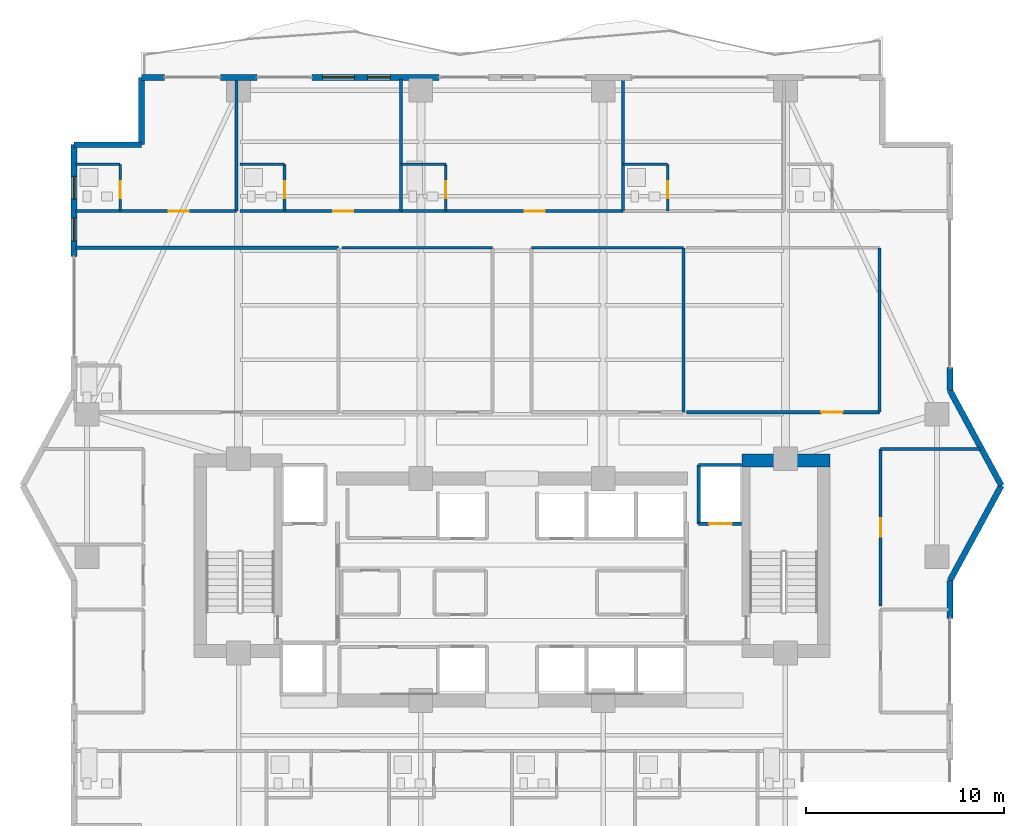
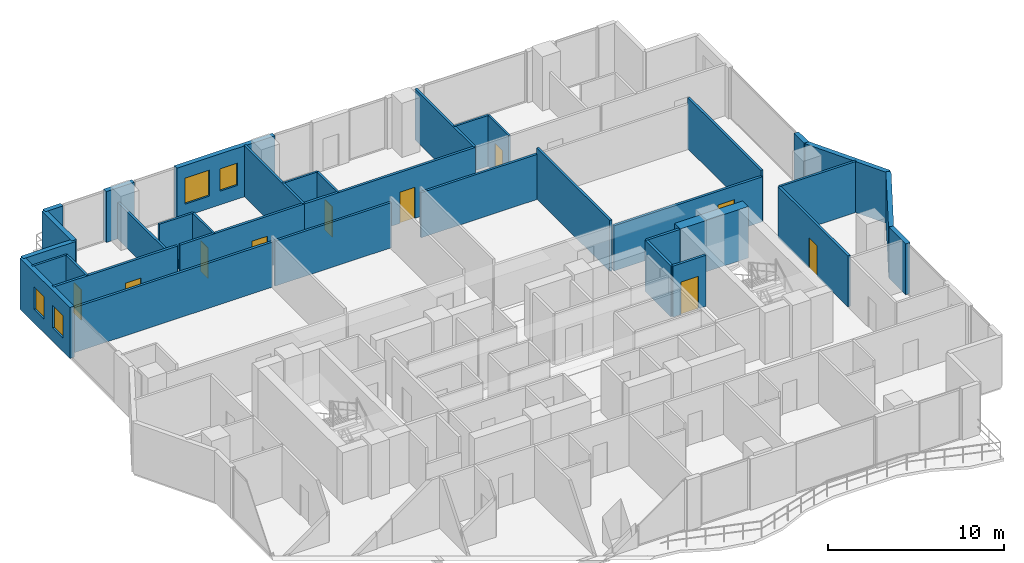
# One storey, part 27 of 32: 36 walls, 10 doors, 4 windows, 14 openings.
"""IFC4 building model written with IfcOpenShell, lengths in metres."""

from ifc_helpers import new_model, si_unit, direction, frame, frame_2d, origin, place, context, subcontext, project, spatial, rectangle, extrude, material, layer, layer_set, type_object, element, fill, save


model = new_model("IFC4")

# Units and contexts
model_context = context("Model", 3, precision=1e-05, world=origin(), true_north=direction((0.0, 1.0)))
body_context = subcontext(model_context, "Body", "Model", "MODEL_VIEW")
ifc_project = project(units=[si_unit("LENGTHUNIT", "METRE"), si_unit("AREAUNIT", "SQUARE_METRE"), si_unit("VOLUMEUNIT", "CUBIC_METRE"), si_unit("PLANEANGLEUNIT", "RADIAN"), si_unit("MASSUNIT", "GRAM", prefix="KILO")], contexts=[model_context])

# Site, building, storey
site_placement = place(None, origin())
site = spatial("IfcSite", under=ifc_project, at=site_placement, CompositionType="ELEMENT")
building_placement = place(site_placement, origin())
building = spatial("IfcBuilding", under=site, at=building_placement, Name="Zuhayl Quay Hotel", CompositionType="ELEMENT")
storey_placement = place(building_placement, frame((0.0, 0.0, 196.14990234375)))
storey = spatial("IfcBuildingStorey", under=building, at=storey_placement, Name="L49", CompositionType="ELEMENT", Elevation=196.14990234375)

# Wall
ifc_material_1 = material(Name="Concrete C50/60", Category="concrete")
ifc_layer_1 = layer(ifc_material_1, 0.64990234375, Name="Concrete C50/60", Category="concrete")
ifc_layer_set_1 = layer_set([ifc_layer_1], Name="Concrete C50/60")
wall_type_1 = type_object("IfcWallType", Name="WL_CORE_650", PredefinedType="SHEAR", material=ifc_layer_set_1)
wall_1_placement = place(storey_placement, frame((11.60009765625, 14.2548828125, 0.0), z_axis=(0.0, 0.0, 1.0), x_axis=(1.0, 0.0, 0.0)))
element("IfcWall", 1, at=wall_1_placement, inside=storey, type_object=wall_type_1, Name="L49 Core Shear Wall CW_NE", PredefinedType="SHEAR", context=body_context, shape_type="SweptSolid", body=[
    extrude(rectangle(XDim=4.4599609375, YDim=0.64990234375, at=frame_2d((2.22998046875, 0.0))), origin(), (0.0, 0.0, 1.0), 3.56005859375),
])

# Wall, openings, windows
ifc_material_2 = material(Name="Precast concrete C45/55", Category="concrete")
ifc_layer_2 = layer(ifc_material_2, 0.300048828125, Name="Precast concrete C45/55", Category="concrete")
ifc_layer_set_2 = layer_set([ifc_layer_2], Name="Precast concrete C45/55")
wall_type_2 = type_object("IfcWallType", Name="WL_EXT_300", PredefinedType="STANDARD", material=ifc_layer_set_2)
wall_2_placement = place(storey_placement, frame((-22.10009765625, 24.550048828125, 0.0), z_axis=(0.0, 0.0, 1.0), x_axis=(0.0, 1.0, 0.0)))
wall_2 = element("IfcWall", 2, at=wall_2_placement, inside=storey, type_object=wall_type_2, Name="L49 Exterior Precast Wall ENV_L49_E05_EW2", PredefinedType="STANDARD", context=body_context, shape_type="SweptSolid", body=[
    extrude(rectangle(XDim=5.64990234375, YDim=0.300048828125, at=frame_2d((2.824951171875, 0.0))), origin(), (0.0, 0.0, 1.0), 3.530029296875),
])
opening_1_placement = place(wall_2_placement, frame((0.800048828125, 0.0, 0.949951171875)))
opening_1 = element("IfcOpeningElement", 3, at=opening_1_placement, cuts=wall_2, Name="Opening W01N", PredefinedType="OPENING", context=body_context, shape_type="SweptSolid", body=[
    extrude(rectangle(XDim=1.14990234375, YDim=1.550048828125, at=frame_2d((0.574951171875, 0.77490234375))), frame((0.0, 0.159912109375, 0.0), z_axis=(0.0, -1.0, 0.0), x_axis=(1.0, 0.0, 0.0)), (0.0, 0.0, 1.0), 0.320068359375),
])
opening_2_placement = place(wall_2_placement, frame((2.905029296875, 0.0, 0.949951171875)))
opening_2 = element("IfcOpeningElement", 4, at=opening_2_placement, cuts=wall_2, Name="Opening W01N", PredefinedType="OPENING", context=body_context, shape_type="SweptSolid", body=[
    extrude(rectangle(XDim=1.14990234375, YDim=1.550048828125, at=frame_2d((0.574951171875, 0.77490234375))), frame((0.0, 0.159912109375, 0.0), z_axis=(0.0, -1.0, 0.0), x_axis=(1.0, 0.0, 0.0)), (0.0, 0.0, 1.0), 0.320068359375),
])
ifc_material_3 = material(Name="Dark Ceramic-Fritted Solar Glass", Category="glass")
window_type_1 = type_object("IfcWindowType", Name="WN_NOTCH_1350", PartitioningType="SINGLE_PANEL", PredefinedType="WINDOW", material=ifc_material_3)
window_1_placement = place(opening_1_placement, origin())
window_1 = element("IfcWindow", 5, at=window_1_placement, inside=storey, type_object=window_type_1, Name="L49 Operable Facade Window 2-1", OverallHeight=1.550048828125, OverallWidth=1.14990234375, PartitioningType="SINGLE_PANEL", PredefinedType="WINDOW", context=body_context, shape_type="SweptSolid", body=[
    extrude(rectangle(XDim=1.14990234375, YDim=1.550048828125, at=frame_2d((0.574951171875, 0.77490234375))), frame((0.0, 0.030029296875, 0.0), z_axis=(0.0, -1.0, 0.0), x_axis=(1.0, 0.0, 0.0)), (0.0, 0.0, 1.0), 0.06005859375),
])
fill(opening_1, window_1)
window_2_placement = place(opening_2_placement, origin())
window_2 = element("IfcWindow", 6, at=window_2_placement, inside=storey, type_object=window_type_1, Name="L49 Operable Facade Window 2-2", OverallHeight=1.550048828125, OverallWidth=1.14990234375, PartitioningType="SINGLE_PANEL", PredefinedType="WINDOW", context=body_context, shape_type="SweptSolid", body=[
    extrude(rectangle(XDim=1.14990234375, YDim=1.550048828125, at=frame_2d((0.574951171875, 0.77490234375))), frame((0.0, 0.030029296875, 0.0), z_axis=(0.0, -1.0, 0.0), x_axis=(1.0, 0.0, 0.0)), (0.0, 0.0, 1.0), 0.06005859375),
])
fill(opening_2, window_2)

# Walls
for number, where, z_axis, x_axis, name in (
    (7, (-22.10009765625, 30.199951171875, 0.0), (0.0, 0.0, 1.0), (1.0, 0.0, 0.0), "L49 Exterior Precast Wall ENV_L49_EW06"),
    (8, (-18.699951171875, 30.199951171875, 0.0), (0.0, 0.0, 1.0), (0.0, 1.0, 0.0), "L49 Exterior Precast Wall ENV_L49_EW07"),
):
    element("IfcWall", number, at=place(storey_placement, frame(where, z_axis=z_axis, x_axis=x_axis)), inside=storey, type_object=wall_type_2, Name=name, PredefinedType="STANDARD", context=body_context, shape_type="SweptSolid", body=[
        extrude(rectangle(XDim=3.400146484375, YDim=0.300048828125, at=frame_2d((1.7001953125, 0.0))), origin(), (0.0, 0.0, 1.0), 3.530029296875),
    ])
wall_3_placement = place(storey_placement, frame((-18.699951171875, 33.60009765625, 0.0), z_axis=(0.0, 0.0, 1.0), x_axis=(1.0, 0.0, 0.0)))
element("IfcWall", 9, at=wall_3_placement, inside=storey, type_object=wall_type_2, Name="L49 Exterior Precast Wall ENV_L49_N_EW1", PredefinedType="STANDARD", context=body_context, shape_type="SweptSolid", body=[
    extrude(rectangle(XDim=1.14990234375, YDim=0.300048828125, at=frame_2d((0.574951171875, 0.0))), origin(), (0.0, 0.0, 1.0), 3.530029296875),
])
wall_4_placement = place(storey_placement, frame((-14.719970703125, 33.60009765625, 0.0), z_axis=(0.0, 0.0, 1.0), x_axis=(1.0, 0.0, 0.0)))
element("IfcWall", 10, at=wall_4_placement, inside=storey, type_object=wall_type_2, Name="L49 Exterior Precast Wall ENV_L49_N_EW2", PredefinedType="STANDARD", context=body_context, shape_type="SweptSolid", body=[
    extrude(rectangle(XDim=1.840087890625, YDim=0.300048828125, at=frame_2d((0.919921875, 0.0))), origin(), (0.0, 0.0, 1.0), 3.530029296875),
])

# Wall, openings, windows
wall_5_placement = place(storey_placement, frame((-10.10400390625, 33.60009765625, 0.0), z_axis=(0.0, 0.0, 1.0), x_axis=(1.0, 0.0, 0.0)))
wall_5 = element("IfcWall", 11, at=wall_5_placement, inside=storey, type_object=wall_type_2, Name="L49 Exterior Precast Wall ENV_L49_N_EW3", PredefinedType="STANDARD", context=body_context, shape_type="SweptSolid", body=[
    extrude(rectangle(XDim=6.424072265625, YDim=0.300048828125, at=frame_2d((3.2119140625, 0.0))), origin(), (0.0, 0.0, 1.0), 3.530029296875),
])
opening_3_placement = place(wall_5_placement, frame((0.550048828125, 0.0, 0.85009765625)))
opening_3 = element("IfcOpeningElement", 12, at=opening_3_placement, cuts=wall_5, Name="Opening W01", PredefinedType="OPENING", context=body_context, shape_type="SweptSolid", body=[
    extrude(rectangle(XDim=1.60009765625, YDim=1.800048828125, at=frame_2d((0.800048828125, 0.89990234375))), frame((0.0, 0.159912109375, 0.0), z_axis=(0.0, -1.0, 0.0), x_axis=(1.0, 0.0, 0.0)), (0.0, 0.0, 1.0), 0.320068359375),
])
opening_4_placement = place(wall_5_placement, frame((2.81689453125, 0.0, 0.949951171875)))
opening_4 = element("IfcOpeningElement", 13, at=opening_4_placement, cuts=wall_5, Name="Opening W01N", PredefinedType="OPENING", context=body_context, shape_type="SweptSolid", body=[
    extrude(rectangle(XDim=1.14990234375, YDim=1.550048828125, at=frame_2d((0.574951171875, 0.77490234375))), frame((0.0, 0.159912109375, 0.0), z_axis=(0.0, -1.0, 0.0), x_axis=(1.0, 0.0, 0.0)), (0.0, 0.0, 1.0), 0.320068359375),
])
window_3_placement = place(opening_4_placement, origin())
window_3 = element("IfcWindow", 14, at=window_3_placement, inside=storey, type_object=window_type_1, Name="L49 Operable Facade Window 3-1", OverallHeight=1.550048828125, OverallWidth=1.14990234375, PartitioningType="SINGLE_PANEL", PredefinedType="WINDOW", context=body_context, shape_type="SweptSolid", body=[
    extrude(rectangle(XDim=1.14990234375, YDim=1.550048828125, at=frame_2d((0.574951171875, 0.77490234375))), frame((0.0, 0.030029296875, 0.0), z_axis=(0.0, -1.0, 0.0), x_axis=(1.0, 0.0, 0.0)), (0.0, 0.0, 1.0), 0.06005859375),
])
fill(opening_4, window_3)
window_type_2 = type_object("IfcWindowType", Name="WN_OPERABLE_1600", PartitioningType="DOUBLE_PANEL_VERTICAL", PredefinedType="WINDOW", material=ifc_material_3)
window_4_placement = place(opening_3_placement, origin())
window_4 = element("IfcWindow", 15, at=window_4_placement, inside=storey, type_object=window_type_2, Name="L49 North Operable Casement Window", OverallHeight=1.800048828125, OverallWidth=1.60009765625, PartitioningType="SINGLE_PANEL", PredefinedType="WINDOW", context=body_context, shape_type="SweptSolid", body=[
    extrude(rectangle(XDim=1.60009765625, YDim=1.800048828125, at=frame_2d((0.800048828125, 0.89990234375))), frame((0.0, 0.030029296875, 0.0), z_axis=(0.0, -1.0, 0.0), x_axis=(1.0, 0.0, 0.0)), (0.0, 0.0, 1.0), 0.06005859375),
])
fill(opening_3, window_4)

# Walls
wall_6_placement = place(storey_placement, frame((22.10009765625, 18.949951171875, 0.0), z_axis=(0.0, 0.0, 1.0), x_axis=(0.0, -1.0, 0.0)))
element("IfcWall", 16, at=wall_6_placement, inside=storey, type_object=wall_type_2, Name="L49 Exterior Precast Wall ENV_L49_E11_EW2", PredefinedType="STANDARD", context=body_context, shape_type="SweptSolid", body=[
    extrude(rectangle(XDim=1.14990234375, YDim=0.300048828125, at=frame_2d((0.574951171875, 0.0))), origin(), (0.0, 0.0, 1.0), 3.530029296875),
])
for number, where, z_axis, x_axis, name in (
    (17, (22.10009765625, 17.800048828125, 0.0), (0.0, 0.0, 1.0), (0.476258655584, -0.879305233114, 0.0), "L49 Exterior Precast Wall ENV_L49_EW12"),
    (18, (24.699951171875, 13.0, 0.0), (0.0, 0.0, 1.0), (-0.476258655584, -0.879305233114, 0.0), "L49 Exterior Precast Wall ENV_L49_EW13"),
):
    element("IfcWall", number, at=place(storey_placement, frame(where, z_axis=z_axis, x_axis=x_axis)), inside=storey, type_object=wall_type_2, Name=name, PredefinedType="STANDARD", context=body_context, shape_type="SweptSolid", body=[
        extrude(rectangle(XDim=5.458984375, YDim=0.300048828125, at=frame_2d((2.7294921875, 0.0))), origin(), (0.0, 0.0, 1.0), 3.530029296875),
    ])
wall_7_placement = place(storey_placement, frame((22.10009765625, 8.199951171875, 0.0), z_axis=(0.0, 0.0, 1.0), x_axis=(0.0, -1.0, 0.0)))
element("IfcWall", 19, at=wall_7_placement, inside=storey, type_object=wall_type_2, Name="L49 Exterior Precast Wall ENV_L49_E14_EW1", PredefinedType="STANDARD", context=body_context, shape_type="SweptSolid", body=[
    extrude(rectangle(XDim=1.89990234375, YDim=0.300048828125, at=frame_2d((0.949951171875, 0.0))), origin(), (0.0, 0.0, 1.0), 3.530029296875),
])
ifc_material_4 = material(Name="Acoustic Gypsum Partition STC-58")
ifc_layer_3 = layer(ifc_material_4, 0.14990234375, Name="Acoustic Gypsum Partition STC-58")
ifc_layer_set_3 = layer_set([ifc_layer_3], Name="Acoustic Gypsum Partition STC-58")
wall_type_3 = type_object("IfcWallType", Name="WL_PART_150", PredefinedType="PARTITIONING", material=ifc_layer_set_3)
wall_8_placement = place(storey_placement, frame((-13.89990234375, 26.85009765625, 0.0), z_axis=(0.0, 0.0, 1.0), x_axis=(0.0, 1.0, 0.0)))
element("IfcWall", 20, at=wall_8_placement, inside=storey, type_object=wall_type_3, Name="L49 Partition IW_L49_NU01A_E", PredefinedType="PARTITIONING", context=body_context, shape_type="SweptSolid", body=[
    extrude(rectangle(XDim=6.669921875, YDim=0.14990234375, at=frame_2d((3.3349609375, 0.0))), origin(), (0.0, 0.0, 1.0), 2.51904296875),
])
for number, where, z_axis, x_axis, name in (
    (21, (-5.60009765625, 26.85009765625, 0.0), (0.0, 0.0, 1.0), (0.0, 1.0, 0.0), "L49 Partition IW_L49_NU01B_E"),
    (22, (5.60009765625, 26.85009765625, 0.0), (0.0, 0.0, 1.0), (0.0, 1.0, 0.0), "L49 Partition IW_L49_NU02_E"),
):
    element("IfcWall", number, at=place(storey_placement, frame(where, z_axis=z_axis, x_axis=x_axis)), inside=storey, type_object=wall_type_3, Name=name, PredefinedType="PARTITIONING", context=body_context, shape_type="SweptSolid", body=[
        extrude(rectangle(XDim=6.669921875, YDim=0.14990234375, at=frame_2d((3.3349609375, 0.0))), origin(), (0.0, 0.0, 1.0), 3.530029296875),
    ])
wall_9_placement = place(storey_placement, frame((-8.590087890625, 25.0, 0.0), z_axis=(0.0, 0.0, 1.0), x_axis=(1.0, 0.0, 0.0)))
element("IfcWall", 23, at=wall_9_placement, inside=storey, type_object=wall_type_3, Name="L49 Partition IW_L49_Z3_SAL_M2_N", PredefinedType="PARTITIONING", context=body_context, shape_type="SweptSolid", body=[
    extrude(rectangle(XDim=7.610107421875, YDim=0.14990234375, at=frame_2d((3.80517578125, 0.0))), origin(), (0.0, 0.0, 1.0), 3.1240234375),
])
wall_10_placement = place(storey_placement, frame((0.97998046875, 25.0, 0.0), z_axis=(0.0, 0.0, 1.0), x_axis=(1.0, 0.0, 0.0)))
element("IfcWall", 24, at=wall_10_placement, inside=storey, type_object=wall_type_3, Name="L49 Partition IW_L49_Z3_SAL_E1_N", PredefinedType="PARTITIONING", context=body_context, shape_type="SweptSolid", body=[
    extrude(rectangle(XDim=7.669921875, YDim=0.14990234375, at=frame_2d((3.8349609375, 0.0))), origin(), (0.0, 0.0, 1.0), 3.1240234375),
])
for number, where, z_axis, x_axis, name in (
    (25, (8.64990234375, 16.699951171875, 0.0), (0.0, 0.0, 1.0), (0.0, 1.0, 0.0), "L49 Partition IW_L49_Z3_SAL_E1_E"),
    (26, (18.550048828125, 16.699951171875, 0.0), (0.0, 0.0, 1.0), (0.0, 1.0, 0.0), "L49 Partition IW_L49_Z3_SAL_E2_E"),
):
    element("IfcWall", number, at=place(storey_placement, frame(where, z_axis=z_axis, x_axis=x_axis)), inside=storey, type_object=wall_type_3, Name=name, PredefinedType="PARTITIONING", context=body_context, shape_type="SweptSolid", body=[
        extrude(rectangle(XDim=8.300048828125, YDim=0.14990234375, at=frame_2d((4.14990234375, 0.0))), origin(), (0.0, 0.0, 1.0), 3.530029296875),
    ])
wall_11_placement = place(storey_placement, frame((18.60009765625, 14.85009765625, 0.0), z_axis=(0.0, 0.0, 1.0), x_axis=(1.0, 0.0, 0.0)))
element("IfcWall", 27, at=wall_11_placement, inside=storey, type_object=wall_type_3, Name="L49 Partition IW_L49_EFLK_2_N", PredefinedType="PARTITIONING", context=body_context, shape_type="SweptSolid", body=[
    extrude(rectangle(XDim=5.037841796875, YDim=0.14990234375, at=frame_2d((2.51904296875, 0.0))), origin(), (0.0, 0.0, 1.0), 3.530029296875),
])

# Wall, opening, door
ifc_layer_4 = layer(ifc_material_4, 0.159912109375, Name="Acoustic Gypsum Partition STC-58")
ifc_layer_set_4 = layer_set([ifc_layer_4], Name="Acoustic Gypsum Partition STC-58")
wall_type_4 = type_object("IfcWallType", Name="WL_PART_CORR_160", PredefinedType="PARTITIONING", material=ifc_layer_set_4)
wall_12_placement = place(storey_placement, frame((-22.0400390625, 26.85009765625, 0.0), z_axis=(0.0, 0.0, 1.0), x_axis=(1.0, 0.0, 0.0)))
wall_12 = element("IfcWall", 28, at=wall_12_placement, inside=storey, type_object=wall_type_4, Name="L49 Partition IW_L49_NU01A_COR", PredefinedType="PARTITIONING", context=body_context, shape_type="SweptSolid", body=[
    extrude(rectangle(XDim=8.14013671875, YDim=0.159912109375, at=frame_2d((4.070068359375, 0.0))), origin(), (0.0, 0.0, 1.0), 3.530029296875),
])
opening_5_placement = place(wall_12_placement, frame((4.719970703125, 0.0, 0.0)))
opening_5 = element("IfcOpeningElement", 29, at=opening_5_placement, cuts=wall_12, Name="Opening D03L", PredefinedType="OPENING", context=body_context, shape_type="SweptSolid", body=[
    extrude(rectangle(XDim=1.0, YDim=2.14990234375, at=frame_2d((0.5, 1.074951171875))), frame((0.0, 0.08984375, 0.0), z_axis=(0.0, -1.0, 0.0), x_axis=(1.0, 0.0, 0.0)), (0.0, 0.0, 1.0), 0.179931640625),
])
ifc_material_5 = material(Name="Solid Walnut Acoustic Fire Door")
door_type_1 = type_object("IfcDoorType", Name="DR_SUITE_1000", OperationType="NOTDEFINED", PredefinedType="DOOR", material=ifc_material_5)
door_1_placement = place(opening_5_placement, origin())
door_1 = element("IfcDoor", 30, at=door_1_placement, inside=storey, type_object=door_type_1, Name="L49 Panoramic Gulf Suite L49-01A Entrance Door", OperationType="SINGLE_SWING_LEFT", OverallHeight=2.14990234375, OverallWidth=1.0, PredefinedType="DOOR", context=body_context, shape_type="SweptSolid", body=[
    extrude(rectangle(XDim=1.0, YDim=2.14990234375, at=frame_2d((0.5, 1.074951171875))), frame((0.0, 0.02490234375, 0.0), z_axis=(0.0, -1.0, 0.0), x_axis=(1.0, 0.0, 0.0)), (0.0, 0.0, 1.0), 0.050048828125),
])
fill(opening_5, door_1)

wall_13_placement = place(storey_placement, frame((-13.739990234375, 26.85009765625, 0.0), z_axis=(0.0, 0.0, 1.0), x_axis=(1.0, 0.0, 0.0)))
wall_13 = element("IfcWall", 31, at=wall_13_placement, inside=storey, type_object=wall_type_4, Name="L49 Partition IW_L49_NU01B_COR", PredefinedType="PARTITIONING", context=body_context, shape_type="SweptSolid", body=[
    extrude(rectangle(XDim=8.139892578125, YDim=0.159912109375, at=frame_2d((4.06982421875, 0.0))), origin(), (0.0, 0.0, 1.0), 3.530029296875),
])
opening_6_placement = place(wall_13_placement, frame((4.719970703125, 0.0, 0.0)))
opening_6 = element("IfcOpeningElement", 32, at=opening_6_placement, cuts=wall_13, Name="Opening D03L", PredefinedType="OPENING", context=body_context, shape_type="SweptSolid", body=[
    extrude(rectangle(XDim=1.0, YDim=2.14990234375, at=frame_2d((0.5, 1.074951171875))), frame((0.0, 0.08984375, 0.0), z_axis=(0.0, -1.0, 0.0), x_axis=(1.0, 0.0, 0.0)), (0.0, 0.0, 1.0), 0.179931640625),
])
door_2_placement = place(opening_6_placement, origin())
door_2 = element("IfcDoor", 33, at=door_2_placement, inside=storey, type_object=door_type_1, Name="L49 Panoramic Gulf Suite L49-01B Entrance Door", OperationType="SINGLE_SWING_LEFT", OverallHeight=2.14990234375, OverallWidth=1.0, PredefinedType="DOOR", context=body_context, shape_type="SweptSolid", body=[
    extrude(rectangle(XDim=1.0, YDim=2.14990234375, at=frame_2d((0.5, 1.074951171875))), frame((0.0, 0.02490234375, 0.0), z_axis=(0.0, -1.0, 0.0), x_axis=(1.0, 0.0, 0.0)), (0.0, 0.0, 1.0), 0.050048828125),
])
fill(opening_6, door_2)

wall_14_placement = place(storey_placement, frame((-5.60009765625, 26.85009765625, 0.0), z_axis=(0.0, 0.0, 1.0), x_axis=(1.0, 0.0, 0.0)))
wall_14 = element("IfcWall", 34, at=wall_14_placement, inside=storey, type_object=wall_type_4, Name="L49 Partition IW_L49_NU02_COR", PredefinedType="PARTITIONING", context=body_context, shape_type="SweptSolid", body=[
    extrude(rectangle(XDim=11.2001953125, YDim=0.159912109375, at=frame_2d((5.60009765625, 0.0))), origin(), (0.0, 0.0, 1.0), 3.530029296875),
])
opening_7_placement = place(wall_14_placement, frame((6.25, 0.0, 0.0)))
opening_7 = element("IfcOpeningElement", 35, at=opening_7_placement, cuts=wall_14, Name="Opening D03L", PredefinedType="OPENING", context=body_context, shape_type="SweptSolid", body=[
    extrude(rectangle(XDim=1.0, YDim=2.14990234375, at=frame_2d((0.5, 1.074951171875))), frame((0.0, 0.08984375, 0.0), z_axis=(0.0, -1.0, 0.0), x_axis=(1.0, 0.0, 0.0)), (0.0, 0.0, 1.0), 0.179931640625),
])
door_3_placement = place(opening_7_placement, origin())
door_3 = element("IfcDoor", 36, at=door_3_placement, inside=storey, type_object=door_type_1, Name="L49 Panoramic Gulf Suite L49-02 Entrance Door", OperationType="SINGLE_SWING_LEFT", OverallHeight=2.14990234375, OverallWidth=1.0, PredefinedType="DOOR", context=body_context, shape_type="SweptSolid", body=[
    extrude(rectangle(XDim=1.0, YDim=2.14990234375, at=frame_2d((0.5, 1.074951171875))), frame((0.0, 0.02490234375, 0.0), z_axis=(0.0, -1.0, 0.0), x_axis=(1.0, 0.0, 0.0)), (0.0, 0.0, 1.0), 0.050048828125),
])
fill(opening_7, door_3)

wall_15_placement = place(storey_placement, frame((8.81005859375, 16.699951171875, 0.0), z_axis=(0.0, 0.0, 1.0), x_axis=(1.0, 0.0, 0.0)))
wall_15 = element("IfcWall", 37, at=wall_15_placement, inside=storey, type_object=wall_type_4, Name="L49 Partition IW_L49_Z3_SAL_E2_S", PredefinedType="PARTITIONING", context=body_context, shape_type="SweptSolid", body=[
    extrude(rectangle(XDim=9.739990234375, YDim=0.159912109375, at=frame_2d((4.8701171875, 0.0))), origin(), (0.0, 0.0, 1.0), 3.1240234375),
])
opening_8_placement = place(wall_15_placement, frame((6.800048828125, 0.0, 0.0)))
opening_8 = element("IfcOpeningElement", 38, at=opening_8_placement, cuts=wall_15, Name="Opening D05A", PredefinedType="OPENING", context=body_context, shape_type="SweptSolid", body=[
    extrude(rectangle(XDim=1.080078125, YDim=2.179931640625, at=frame_2d((0.5400390625, 1.08984375))), frame((0.0, 0.08984375, 0.0), z_axis=(0.0, -1.0, 0.0), x_axis=(1.0, 0.0, 0.0)), (0.0, 0.0, 1.0), 0.179931640625),
])
door_type_2 = type_object("IfcDoorType", Name="DR_INT_1100", OperationType="NOTDEFINED", PredefinedType="DOOR", material=ifc_material_5)
door_4_placement = place(opening_8_placement, origin())
door_4 = element("IfcDoor", 39, at=door_4_placement, inside=storey, type_object=door_type_2, Name="L49 Botanical Tea Salon Door", OperationType="SINGLE_SWING_RIGHT", OverallHeight=2.179931640625, OverallWidth=1.080078125, PredefinedType="DOOR", context=body_context, shape_type="SweptSolid", body=[
    extrude(rectangle(XDim=1.080078125, YDim=2.179931640625, at=frame_2d((0.5400390625, 1.08984375))), frame((0.0, 0.02490234375, 0.0), z_axis=(0.0, -1.0, 0.0), x_axis=(1.0, 0.0, 0.0)), (0.0, 0.0, 1.0), 0.050048828125),
])
fill(opening_8, door_4)

wall_16_placement = place(storey_placement, frame((18.60009765625, 6.909912109375, 0.0), z_axis=(0.0, 0.0, 1.0), x_axis=(0.0, 1.0, 0.0)))
wall_16 = element("IfcWall", 40, at=wall_16_placement, inside=storey, type_object=wall_type_4, Name="L49 Partition IW_L49_EFLK_2_W", PredefinedType="PARTITIONING", context=body_context, shape_type="SweptSolid", body=[
    extrude(rectangle(XDim=7.940185546875, YDim=0.159912109375, at=frame_2d((3.97021484375, 0.0))), origin(), (0.0, 0.0, 1.0), 3.530029296875),
])
opening_9_placement = place(wall_16_placement, frame((3.510009765625, 0.0, 0.0)))
opening_9 = element("IfcOpeningElement", 41, at=opening_9_placement, cuts=wall_16, Name="Opening D05", PredefinedType="OPENING", context=body_context, shape_type="SweptSolid", body=[
    extrude(rectangle(XDim=0.919921875, YDim=2.1201171875, at=frame_2d((0.4599609375, 1.06005859375))), frame((0.0, 0.08984375, 0.0), z_axis=(0.0, -1.0, 0.0), x_axis=(1.0, 0.0, 0.0)), (0.0, 0.0, 1.0), 0.179931640625),
])
door_type_3 = type_object("IfcDoorType", Name="DR_INT_950", OperationType="NOTDEFINED", PredefinedType="DOOR", material=ifc_material_5)
door_5_placement = place(opening_9_placement, origin())
door_5 = element("IfcDoor", 42, at=door_5_placement, inside=storey, type_object=door_type_3, Name="L49 East Prow Reading Lounge L49 Door", OperationType="SINGLE_SWING_RIGHT", OverallHeight=2.1201171875, OverallWidth=0.919921875, PredefinedType="DOOR", context=body_context, shape_type="SweptSolid", body=[
    extrude(rectangle(XDim=0.919921875, YDim=2.1201171875, at=frame_2d((0.4599609375, 1.06005859375))), frame((0.0, 0.02490234375, 0.0), z_axis=(0.0, -1.0, 0.0), x_axis=(1.0, 0.0, 0.0)), (0.0, 0.0, 1.0), 0.050048828125),
])
fill(opening_9, door_5)

# Wall
wall_17_placement = place(storey_placement, frame((-22.0400390625, 25.0, 0.0), z_axis=(0.0, 0.0, 1.0), x_axis=(1.0, 0.0, 0.0)))
element("IfcWall", 43, at=wall_17_placement, inside=storey, type_object=wall_type_4, Name="L49 Partition IW_L49_MU01_BK", PredefinedType="PARTITIONING", context=body_context, shape_type="SweptSolid", body=[
    extrude(rectangle(XDim=13.2900390625, YDim=0.159912109375, at=frame_2d((6.64501953125, 0.0))), origin(), (0.0, 0.0, 1.0), 3.1240234375),
])

# Wall, opening, door
ifc_material_6 = material(Name="Moisture-Resistant Sanitarychase Gypsum")
ifc_layer_5 = layer(ifc_material_6, 0.135009765625, Name="Moisture-Resistant Sanitarychase Gypsum")
ifc_layer_set_5 = layer_set([ifc_layer_5], Name="Moisture-Resistant Sanitarychase Gypsum")
wall_type_5 = type_object("IfcWallType", Name="WL_PART_PLUMB_150", PredefinedType="PLUMBINGWALL", material=ifc_layer_set_5)
wall_18_placement = place(storey_placement, frame((-19.780029296875, 26.85009765625, 0.0), z_axis=(0.0, 0.0, 1.0), x_axis=(0.0, 1.0, 0.0)))
wall_18 = element("IfcWall", 44, at=wall_18_placement, inside=storey, type_object=wall_type_5, Name="L49 Partition IW_L49_NU01A_BE", PredefinedType="PLUMBINGWALL", context=body_context, shape_type="SweptSolid", body=[
    extrude(rectangle(XDim=2.35986328125, YDim=0.135009765625, at=frame_2d((1.179931640625, 0.0))), origin(), (0.0, 0.0, 1.0), 3.530029296875),
])
opening_10_placement = place(wall_18_placement, frame((0.64990234375, 0.0, 0.0)))
opening_10 = element("IfcOpeningElement", 45, at=opening_10_placement, cuts=wall_18, Name="Opening D04", PredefinedType="OPENING", context=body_context, shape_type="SweptSolid", body=[
    extrude(rectangle(XDim=0.85009765625, YDim=2.10009765625, at=frame_2d((0.425048828125, 1.050048828125))), frame((0.0, 0.077392578125, 0.0), z_axis=(0.0, -1.0, 0.0), x_axis=(1.0, 0.0, 0.0)), (0.0, 0.0, 1.0), 0.155029296875),
])
ifc_material_7 = material(Name="Moisture-Resistant Walnut Veneer")
door_type_4 = type_object("IfcDoorType", Name="DR_BATH_850", OperationType="NOTDEFINED", PredefinedType="DOOR", material=ifc_material_7)
door_6_placement = place(opening_10_placement, origin())
door_6 = element("IfcDoor", 46, at=door_6_placement, inside=storey, type_object=door_type_4, Name="L49 Panoramic Gulf Suite L49-01A En-Suite Door", OperationType="SINGLE_SWING_RIGHT", OverallHeight=2.10009765625, OverallWidth=0.85009765625, PredefinedType="DOOR", context=body_context, shape_type="SweptSolid", body=[
    extrude(rectangle(XDim=0.85009765625, YDim=2.10009765625, at=frame_2d((0.425048828125, 1.050048828125))), frame((0.0, 0.02490234375, 0.0), z_axis=(0.0, -1.0, 0.0), x_axis=(1.0, 0.0, 0.0)), (0.0, 0.0, 1.0), 0.050048828125),
])
fill(opening_10, door_6)

wall_19_placement = place(storey_placement, frame((-11.47998046875, 26.85009765625, 0.0), z_axis=(0.0, 0.0, 1.0), x_axis=(0.0, 1.0, 0.0)))
wall_19 = element("IfcWall", 47, at=wall_19_placement, inside=storey, type_object=wall_type_5, Name="L49 Partition IW_L49_NU01B_BE", PredefinedType="PLUMBINGWALL", context=body_context, shape_type="SweptSolid", body=[
    extrude(rectangle(XDim=2.35986328125, YDim=0.135009765625, at=frame_2d((1.179931640625, 0.0))), origin(), (0.0, 0.0, 1.0), 3.530029296875),
])
opening_11_placement = place(wall_19_placement, frame((0.64990234375, 0.0, 0.0)))
opening_11 = element("IfcOpeningElement", 48, at=opening_11_placement, cuts=wall_19, Name="Opening D04", PredefinedType="OPENING", context=body_context, shape_type="SweptSolid", body=[
    extrude(rectangle(XDim=0.85009765625, YDim=2.10009765625, at=frame_2d((0.425048828125, 1.050048828125))), frame((0.0, 0.077392578125, 0.0), z_axis=(0.0, -1.0, 0.0), x_axis=(1.0, 0.0, 0.0)), (0.0, 0.0, 1.0), 0.155029296875),
])
door_7_placement = place(opening_11_placement, origin())
door_7 = element("IfcDoor", 49, at=door_7_placement, inside=storey, type_object=door_type_4, Name="L49 Panoramic Gulf Suite L49-01B En-Suite Door", OperationType="SINGLE_SWING_RIGHT", OverallHeight=2.10009765625, OverallWidth=0.85009765625, PredefinedType="DOOR", context=body_context, shape_type="SweptSolid", body=[
    extrude(rectangle(XDim=0.85009765625, YDim=2.10009765625, at=frame_2d((0.425048828125, 1.050048828125))), frame((0.0, 0.02490234375, 0.0), z_axis=(0.0, -1.0, 0.0), x_axis=(1.0, 0.0, 0.0)), (0.0, 0.0, 1.0), 0.050048828125),
])
fill(opening_11, door_7)

wall_20_placement = place(storey_placement, frame((-3.340087890625, 26.85009765625, 0.0), z_axis=(0.0, 0.0, 1.0), x_axis=(0.0, 1.0, 0.0)))
wall_20 = element("IfcWall", 50, at=wall_20_placement, inside=storey, type_object=wall_type_5, Name="L49 Partition IW_L49_NU02_BE", PredefinedType="PLUMBINGWALL", context=body_context, shape_type="SweptSolid", body=[
    extrude(rectangle(XDim=2.35986328125, YDim=0.135009765625, at=frame_2d((1.179931640625, 0.0))), origin(), (0.0, 0.0, 1.0), 3.530029296875),
])
opening_12_placement = place(wall_20_placement, frame((0.64990234375, 0.0, 0.0)))
opening_12 = element("IfcOpeningElement", 51, at=opening_12_placement, cuts=wall_20, Name="Opening D04", PredefinedType="OPENING", context=body_context, shape_type="SweptSolid", body=[
    extrude(rectangle(XDim=0.85009765625, YDim=2.10009765625, at=frame_2d((0.425048828125, 1.050048828125))), frame((0.0, 0.077392578125, 0.0), z_axis=(0.0, -1.0, 0.0), x_axis=(1.0, 0.0, 0.0)), (0.0, 0.0, 1.0), 0.155029296875),
])
door_8_placement = place(opening_12_placement, origin())
door_8 = element("IfcDoor", 52, at=door_8_placement, inside=storey, type_object=door_type_4, Name="L49 Panoramic Gulf Suite L49-02 En-Suite Door", OperationType="SINGLE_SWING_RIGHT", OverallHeight=2.10009765625, OverallWidth=0.85009765625, PredefinedType="DOOR", context=body_context, shape_type="SweptSolid", body=[
    extrude(rectangle(XDim=0.85009765625, YDim=2.10009765625, at=frame_2d((0.425048828125, 1.050048828125))), frame((0.0, 0.02490234375, 0.0), z_axis=(0.0, -1.0, 0.0), x_axis=(1.0, 0.0, 0.0)), (0.0, 0.0, 1.0), 0.050048828125),
])
fill(opening_12, door_8)

wall_21_placement = place(storey_placement, frame((7.860107421875, 26.85009765625, 0.0), z_axis=(0.0, 0.0, 1.0), x_axis=(0.0, 1.0, 0.0)))
wall_21 = element("IfcWall", 53, at=wall_21_placement, inside=storey, type_object=wall_type_5, Name="L49 Partition IW_L49_NU03A_BE", PredefinedType="PLUMBINGWALL", context=body_context, shape_type="SweptSolid", body=[
    extrude(rectangle(XDim=2.35986328125, YDim=0.135009765625, at=frame_2d((1.179931640625, 0.0))), origin(), (0.0, 0.0, 1.0), 3.530029296875),
])
opening_13_placement = place(wall_21_placement, frame((0.64990234375, 0.0, 0.0)))
opening_13 = element("IfcOpeningElement", 54, at=opening_13_placement, cuts=wall_21, Name="Opening D04", PredefinedType="OPENING", context=body_context, shape_type="SweptSolid", body=[
    extrude(rectangle(XDim=0.85009765625, YDim=2.10009765625, at=frame_2d((0.425048828125, 1.050048828125))), frame((0.0, 0.077392578125, 0.0), z_axis=(0.0, -1.0, 0.0), x_axis=(1.0, 0.0, 0.0)), (0.0, 0.0, 1.0), 0.155029296875),
])
door_9_placement = place(opening_13_placement, origin())
door_9 = element("IfcDoor", 55, at=door_9_placement, inside=storey, type_object=door_type_4, Name="L49 Panoramic Gulf Suite L49-03A En-Suite Door", OperationType="SINGLE_SWING_RIGHT", OverallHeight=2.10009765625, OverallWidth=0.85009765625, PredefinedType="DOOR", context=body_context, shape_type="SweptSolid", body=[
    extrude(rectangle(XDim=0.85009765625, YDim=2.10009765625, at=frame_2d((0.425048828125, 1.050048828125))), frame((0.0, 0.02490234375, 0.0), z_axis=(0.0, -1.0, 0.0), x_axis=(1.0, 0.0, 0.0)), (0.0, 0.0, 1.0), 0.050048828125),
])
fill(opening_13, door_9)

# Walls
for number, where, z_axis, x_axis, name in (
    (56, (-22.0400390625, 29.2099609375, 0.0), (0.0, 0.0, 1.0), (1.0, 0.0, 0.0), "L49 Partition IW_L49_NU01A_BN"),
    (57, (-13.739990234375, 29.2099609375, 0.0), (0.0, 0.0, 1.0), (1.0, 0.0, 0.0), "L49 Partition IW_L49_NU01B_BN"),
    (58, (-5.60009765625, 29.2099609375, 0.0), (0.0, 0.0, 1.0), (1.0, 0.0, 0.0), "L49 Partition IW_L49_NU02_BN"),
    (59, (5.60009765625, 29.2099609375, 0.0), (0.0, 0.0, 1.0), (1.0, 0.0, 0.0), "L49 Partition IW_L49_NU03A_BN"),
):
    element("IfcWall", number, at=place(storey_placement, frame(where, z_axis=z_axis, x_axis=x_axis)), inside=storey, type_object=wall_type_5, Name=name, PredefinedType="PLUMBINGWALL", context=body_context, shape_type="SweptSolid", body=[
        extrude(rectangle(XDim=2.260009765625, YDim=0.135009765625, at=frame_2d((1.1298828125, 0.0))), origin(), (0.0, 0.0, 1.0), 3.530029296875),
    ])

# Wall, opening, door
ifc_material_8 = material(Name="Gypsum Fireboard Assembly EI-90")
ifc_layer_6 = layer(ifc_material_8, 0.1650390625, Name="Gypsum Fireboard Assembly EI-90")
ifc_layer_set_6 = layer_set([ifc_layer_6], Name="Gypsum Fireboard Assembly EI-90")
wall_type_6 = type_object("IfcWallType", Name="WL_PART_SHAFT_160", PredefinedType="PARTITIONING", material=ifc_layer_set_6)
wall_22_placement = place(storey_placement, frame((9.419921875, 11.070068359375, 0.0), z_axis=(0.0, 0.0, 1.0), x_axis=(1.0, 0.0, 0.0)))
wall_22 = element("IfcWall", 60, at=wall_22_placement, inside=storey, type_object=wall_type_6, Name="L49 Partition IW_L49_SH_FL2_F", PredefinedType="PARTITIONING", context=body_context, shape_type="SweptSolid", body=[
    extrude(rectangle(XDim=2.16015625, YDim=0.1650390625, at=frame_2d((1.080078125, 0.0))), origin(), (0.0, 0.0, 1.0), 3.530029296875),
])
opening_14_placement = place(wall_22_placement, frame((0.530029296875, 0.0, 0.0)))
opening_14 = element("IfcOpeningElement", 61, at=opening_14_placement, cuts=wall_22, Name="Opening LD2", PredefinedType="OPENING", context=body_context, shape_type="SweptSolid", body=[
    extrude(rectangle(XDim=1.14990234375, YDim=2.25, at=frame_2d((0.574951171875, 1.125))), frame((0.0, 0.092529296875, 0.0), z_axis=(0.0, -1.0, 0.0), x_axis=(1.0, 0.0, 0.0)), (0.0, 0.0, 1.0), 0.18505859375),
])
ifc_material_9 = material(Name="Brushed Stainless Steel", Category="steel")
door_type_5 = type_object("IfcDoorType", Name="DR_LIFT_FF_1100", OperationType="SLIDING_TO_LEFT", PredefinedType="DOOR", material=ifc_material_9)
door_10_placement = place(opening_14_placement, origin())
door_10 = element("IfcDoor", 62, at=door_10_placement, inside=storey, type_object=door_type_5, Name="L49 Lift FL2 Sliding Landing Door", OperationType="SLIDING_TO_LEFT", OverallHeight=2.25, OverallWidth=1.14990234375, PredefinedType="DOOR", context=body_context, shape_type="SweptSolid", body=[
    extrude(rectangle(XDim=1.14990234375, YDim=2.25, at=frame_2d((0.574951171875, 1.125))), frame((0.0, 0.02490234375, 0.0), z_axis=(0.0, -1.0, 0.0), x_axis=(1.0, 0.0, 0.0)), (0.0, 0.0, 1.0), 0.050048828125),
])
fill(opening_14, door_10)

# Walls
wall_23_placement = place(storey_placement, frame((9.419921875, 11.070068359375, 0.0), z_axis=(0.0, 0.0, 1.0), x_axis=(0.0, 1.0, 0.0)))
element("IfcWall", 63, at=wall_23_placement, inside=storey, type_object=wall_type_6, Name="L49 Partition IW_L49_SH_FL2_W", PredefinedType="PARTITIONING", context=body_context, shape_type="SweptSolid", body=[
    extrude(rectangle(XDim=2.9599609375, YDim=0.1650390625, at=frame_2d((1.47998046875, 0.0))), origin(), (0.0, 0.0, 1.0), 3.530029296875),
])
wall_24_placement = place(storey_placement, frame((9.419921875, 14.030029296875, 0.0), z_axis=(0.0, 0.0, 1.0), x_axis=(1.0, 0.0, 0.0)))
element("IfcWall", 64, at=wall_24_placement, inside=storey, type_object=wall_type_6, Name="L49 Partition IW_L49_SH_FL2_B", PredefinedType="PARTITIONING", context=body_context, shape_type="SweptSolid", body=[
    extrude(rectangle(XDim=2.16015625, YDim=0.1650390625, at=frame_2d((1.080078125, 0.0))), origin(), (0.0, 0.0, 1.0), 3.530029296875),
])

save(model, "model.ifc")
